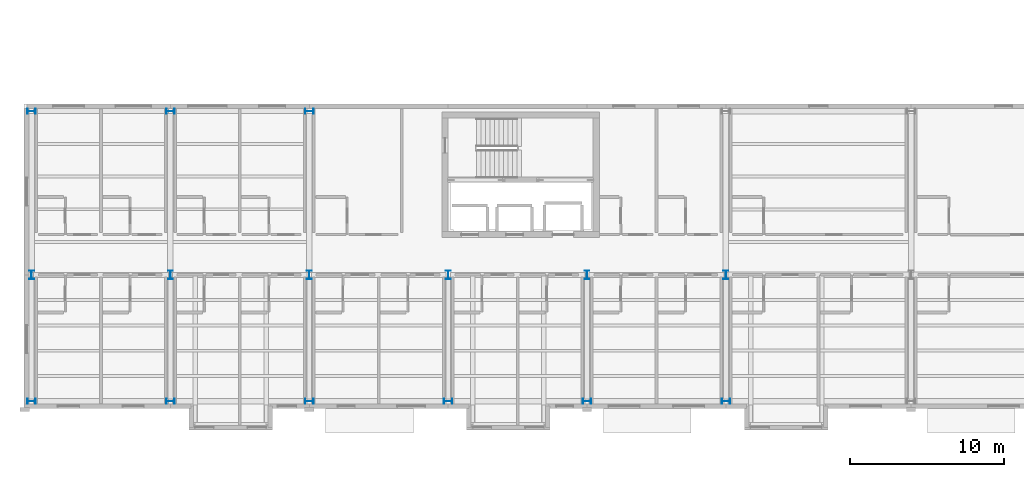
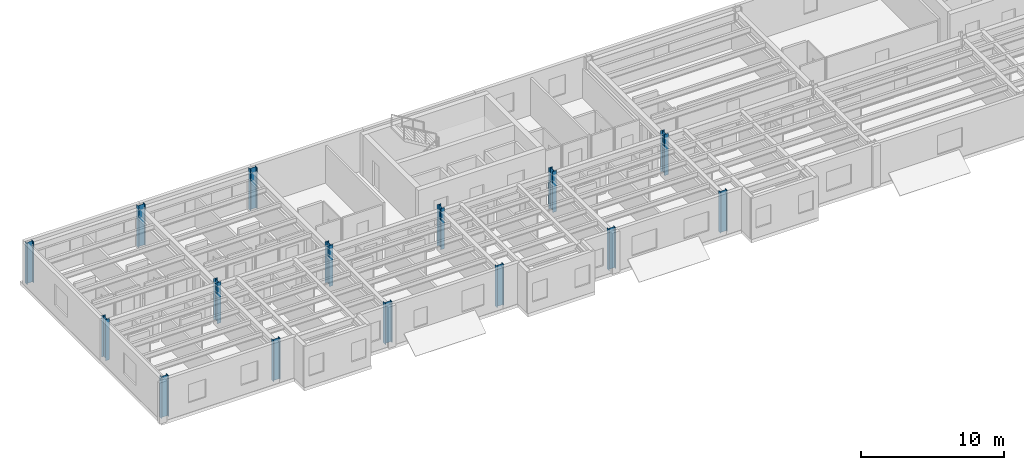
# One storey, part 1 of 19: 15 columns.
"""IFC4 building model written with IfcOpenShell, lengths in metres."""

from ifc_helpers import new_model, si_unit, direction, frame, origin, origin_2d, place, context, subcontext, project, spatial, i_section, extrude, material, material_profile, profile_set, type_object, element, save


model = new_model("IFC4")

# Units and contexts
model_context = context("Model", 3, precision=1e-05, world=origin(), true_north=direction((0.0, 1.0)))
body_context = subcontext(model_context, "Body", "Model", "MODEL_VIEW")
ifc_project = project(units=[si_unit("LENGTHUNIT", "METRE"), si_unit("AREAUNIT", "SQUARE_METRE"), si_unit("VOLUMEUNIT", "CUBIC_METRE"), si_unit("PLANEANGLEUNIT", "RADIAN"), si_unit("MASSUNIT", "GRAM", prefix="KILO")], contexts=[model_context])

# Site, building, storey
site_placement = place(None, origin())
site = spatial("IfcSite", under=ifc_project, at=site_placement, CompositionType="ELEMENT")
building_placement = place(site_placement, origin())
building = spatial("IfcBuilding", under=site, at=building_placement, Name="Sollismere Congress Hotel", CompositionType="ELEMENT")
storey_placement = place(building_placement, frame((0.0, 0.0, 34.10009765625)))
storey = spatial("IfcBuildingStorey", under=building, at=storey_placement, Name="L08", CompositionType="ELEMENT", Elevation=34.10009765625)

# Columns
ifc_material = material(Name="Steel ASTM A992 Grade 50", Category="steel")
ifc_material_profile = material_profile(ifc_material, i_section(OverallWidth=0.31494140625, OverallDepth=0.551025390625, WebThickness=0.01513671875, FlangeThickness=0.0244140625, at=origin_2d()), Name="W21X122")
ifc_profile_set = profile_set([ifc_material_profile], Name="Steel ASTM A992 Grade 50")
column_type = type_object("IfcColumnType", Name="COL-W21", PredefinedType="COLUMN", material=ifc_profile_set)
for number, where, z_axis, x_axis, name in (
    (1, (67.0, 0.0, 0.0), (0.0, 0.0, 1.0), (0.0, 1.0, 0.0), "Column CL-L08-285"),
    (2, (67.0, 8.199951171875, 0.0), (0.0, 0.0, 1.0), (1.0, 0.0, 0.0), "Column CL-L08-296"),
    (3, (67.0, 18.800048828125, 0.0), (0.0, 0.0, 1.0), (0.0, 1.0, 0.0), "Column CL-L08-307"),
    (4, (76.0, 0.0, 0.0), (0.0, 0.0, 1.0), (0.0, 1.0, 0.0), "Column CL-L08-349"),
    (5, (76.0, 8.199951171875, 0.0), (0.0, 0.0, 1.0), (1.0, 0.0, 0.0), "Column CL-L08-360"),
    (6, (76.0, 18.800048828125, 0.0), (0.0, 0.0, 1.0), (0.0, 1.0, 0.0), "Column CL-L08-371"),
    (7, (85.0, 0.0, 0.0), (0.0, 0.0, 1.0), (0.0, 1.0, 0.0), "Column CL-L08-402"),
    (8, (85.0, 8.199951171875, 0.0), (0.0, 0.0, 1.0), (1.0, 0.0, 0.0), "Column CL-L08-415"),
    (9, (85.0, 18.800048828125, 0.0), (0.0, 0.0, 1.0), (0.0, 1.0, 0.0), "Column CL-L08-428"),
    (10, (94.0, 0.0, 0.0), (0.0, 0.0, 1.0), (0.0, 1.0, 0.0), "Column CL-L08-461"),
    (11, (94.0, 8.199951171875, 0.0), (0.0, 0.0, 1.0), (1.0, 0.0, 0.0), "Column CL-L08-474"),
    (12, (103.0, 0.0, 0.0), (0.0, 0.0, 1.0), (0.0, 1.0, 0.0), "Column CL-L08-519"),
    (13, (103.0, 8.199951171875, 0.0), (0.0, 0.0, 1.0), (1.0, 0.0, 0.0), "Column CL-L08-532"),
    (14, (112.0, 0.0, 0.0), (0.0, 0.0, 1.0), (0.0, 1.0, 0.0), "Column CL-L08-577"),
    (15, (112.0, 8.199951171875, 0.0), (0.0, 0.0, 1.0), (1.0, 0.0, 0.0), "Column CL-L08-590"),
):
    element("IfcColumn", number, at=place(storey_placement, frame(where, z_axis=z_axis, x_axis=x_axis)), inside=storey, type_object=column_type, Name=name, PredefinedType="COLUMN", context=body_context, shape_type="SweptSolid", body=[
        extrude(i_section(OverallWidth=0.31494140625, OverallDepth=0.551025390625, WebThickness=0.01513671875, FlangeThickness=0.0244140625, at=origin_2d()), origin(), (0.0, 0.0, 1.0), 3.5),
    ])

save(model, "model.ifc")
